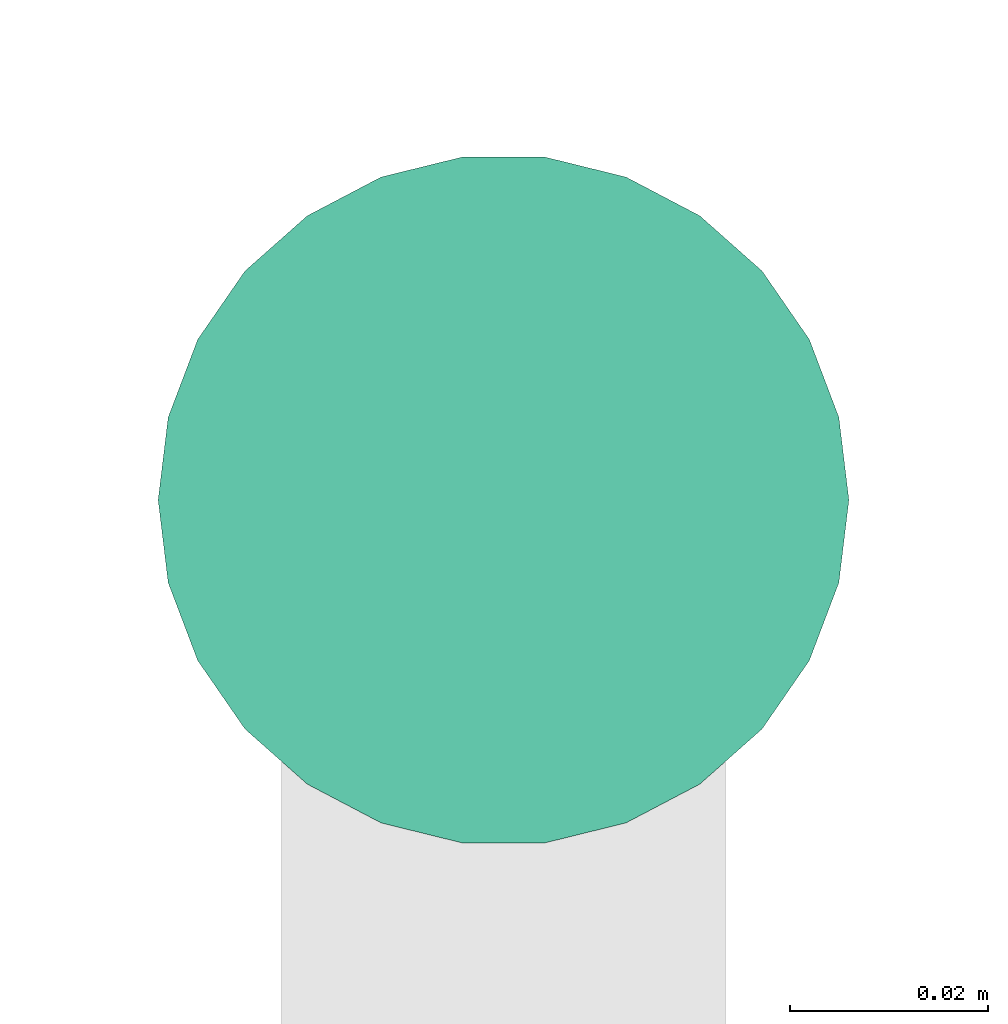
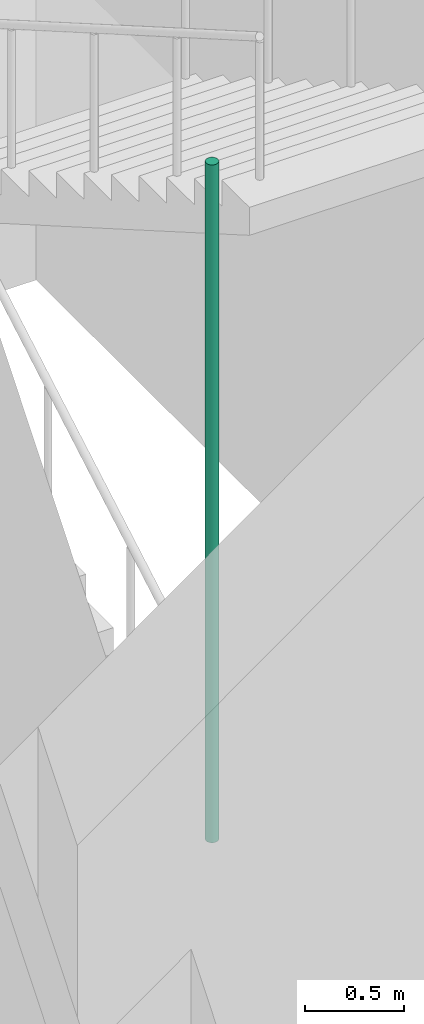
# One storey, part 24 of 28: 1 pipe segment.
"""IFC4 building model written with IfcOpenShell, lengths in metres."""

from ifc_helpers import new_model, si_unit, direction, frame, origin, origin_2d, place, context, subcontext, project, spatial, circle, extrude, element, save


model = new_model("IFC4")

# Units and contexts
model_context = context("Model", 3, precision=1e-05, world=origin(), true_north=direction((0.0, 1.0)))
body_context = subcontext(model_context, "Body", "Model", "MODEL_VIEW")
ifc_project = project(units=[si_unit("LENGTHUNIT", "METRE"), si_unit("AREAUNIT", "SQUARE_METRE"), si_unit("VOLUMEUNIT", "CUBIC_METRE"), si_unit("PLANEANGLEUNIT", "RADIAN"), si_unit("MASSUNIT", "GRAM", prefix="KILO")], contexts=[model_context])

# Site, building, storey
site_placement = place(None, origin())
site = spatial("IfcSite", under=ifc_project, at=site_placement, CompositionType="ELEMENT")
building_placement = place(site_placement, origin())
building = spatial("IfcBuilding", under=site, at=building_placement, Name="Nzadi Deep Aquarium and Research Tower", CompositionType="ELEMENT")
storey_placement = place(building_placement, frame((0.0, 0.0, 73.89990234375)))
storey = spatial("IfcBuildingStorey", under=building, at=storey_placement, Name="L15", CompositionType="ELEMENT", Elevation=73.89990234375)

# Pipe segment
pipe_segment_placement = place(storey_placement, frame((2.300048828125, 12.320068359375, 0.0), z_axis=(0.0, 0.0, 1.0), x_axis=(1.0, 0.0, 0.0)))
element("IfcPipeSegment", 1, at=pipe_segment_placement, inside=storey, Name="Dry riser ST-Z1-SW L15", PredefinedType="RIGIDSEGMENT", context=body_context, shape_type="SweptSolid", body=[
    extrude(circle(Radius=0.034912109375, at=origin_2d()), origin(), (0.0, 0.0, 1.0), 4.2001953125),
])

save(model, "model.ifc")
